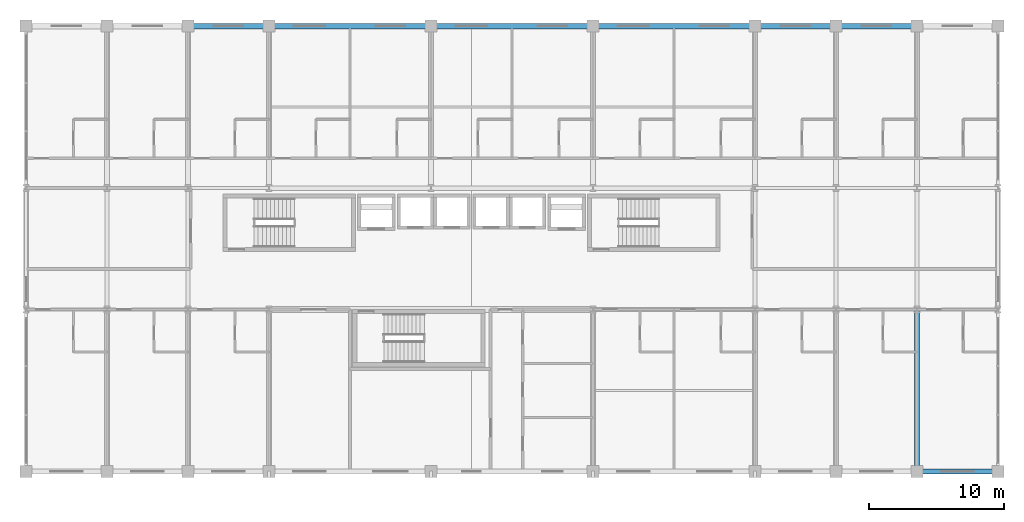
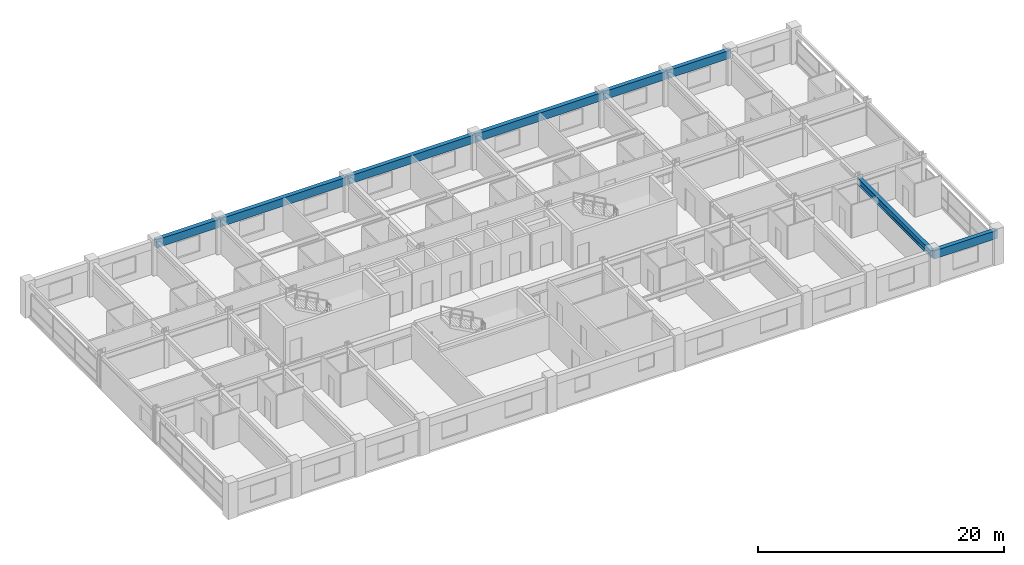
# One storey, part 11 of 22: 8 beams.
"""IFC4 building model written with IfcOpenShell, lengths in metres."""

from ifc_helpers import new_model, si_unit, direction, frame, origin, origin_2d, place, context, subcontext, project, spatial, rectangle, i_section, extrude, material, material_profile, profile_set, type_object, element, save


model = new_model("IFC4")

# Units and contexts
model_context = context("Model", 3, precision=1e-05, world=origin(), true_north=direction((0.0, 1.0)))
body_context = subcontext(model_context, "Body", "Model", "MODEL_VIEW")
ifc_project = project(units=[si_unit("LENGTHUNIT", "METRE"), si_unit("AREAUNIT", "SQUARE_METRE"), si_unit("VOLUMEUNIT", "CUBIC_METRE"), si_unit("PLANEANGLEUNIT", "RADIAN"), si_unit("MASSUNIT", "GRAM", prefix="KILO")], contexts=[model_context])

# Site, building, storey
site_placement = place(None, origin())
site = spatial("IfcSite", under=ifc_project, at=site_placement, CompositionType="ELEMENT")
building_placement = place(site_placement, origin())
building = spatial("IfcBuilding", under=site, at=building_placement, Name="Kaldorvane Square Convention Centre", CompositionType="ELEMENT")
storey_placement = place(building_placement, frame((0.0, 0.0, 34.80000305175781)))
storey = spatial("IfcBuildingStorey", under=building, at=storey_placement, Name="L07", CompositionType="ELEMENT", Elevation=34.80000305175781)

# Beams
ifc_material_1 = material(Name="Steel ASTM A992 Gr. 50", Category="steel")
ifc_material_profile_1 = material_profile(ifc_material_1, i_section(OverallWidth=0.354705810546875, OverallDepth=0.69549560546875, WebThickness=0.0153961181640625, FlangeThickness=0.0251007080078125, FilletRadius=0.01519775390625, at=origin_2d()), Name="W27X146")
ifc_profile_set_1 = profile_set([ifc_material_profile_1], Name="Steel ASTM A992 Gr. 50")
beam_type_1 = type_object("IfcBeamType", Name="BM-GR-W27X146", PredefinedType="BEAM", material=ifc_profile_set_1)
beam_placement = place(storey_placement, frame((90.0, 84.0, 2.93829345703125), z_axis=(0.0, 1.0, 0.0), x_axis=(-1.0, 0.0, 0.0)))
element("IfcBeam", 1, at=beam_placement, inside=storey, type_object=beam_type_1, Name="Transverse Girder (L07)", PredefinedType="BEAM", context=body_context, shape_type="SweptSolid", body=[
    extrude(i_section(OverallWidth=0.354705810546875, OverallDepth=0.69549560546875, WebThickness=0.0153961181640625, FlangeThickness=0.0251007080078125, FilletRadius=0.01519775390625, at=origin_2d()), origin(), (0.0, 0.0, 1.0), 12.0),
])
ifc_material_2 = material(Name="Concrete f'c = 42 MPa (Normalweight)", Category="concrete")
ifc_material_profile_2 = material_profile(ifc_material_2, rectangle(XDim=0.399993896484375, YDim=0.8000030517578125, at=origin_2d()), Name="RCSP800X400")
ifc_profile_set_2 = profile_set([ifc_material_profile_2], Name="Concrete f'c = 42 MPa (Normalweight)")
beam_type_2 = type_object("IfcBeamType", Name="BM-SP-RC800", PredefinedType="SPANDREL", material=ifc_profile_set_2)
for number, where, z_axis, x_axis, name in (
    (2, (90.0, 84.0, 2.8860015869140625), (1.0, 0.0, 0.0), (0.0, 1.0, 0.0), "Perimeter Spandrel (L07)"),
    (3, (36.0, 117.0, 2.8860015869140625), (1.0, 0.0, 0.0), (0.0, 1.0, 0.0), "Perimeter Spandrel (L07)"),
):
    element("IfcBeam", number, at=place(storey_placement, frame(where, z_axis=z_axis, x_axis=x_axis)), inside=storey, type_object=beam_type_2, Name=name, PredefinedType="SPANDREL", context=body_context, shape_type="SweptSolid", body=[
        extrude(rectangle(XDim=0.399993896484375, YDim=0.8000030517578125, at=origin_2d()), origin(), (0.0, 0.0, 1.0), 6.0),
    ])
for number, where, z_axis, x_axis, name in (
    (4, (42.0, 117.0, 2.8860015869140625), (1.0, 0.0, 0.0), (0.0, 1.0, 0.0), "Perimeter Spandrel (L07)"),
    (5, (54.0, 117.0, 2.8860015869140625), (1.0, 0.0, 0.0), (0.0, 1.0, 0.0), "Perimeter Spandrel (L07)"),
    (6, (66.0, 117.0, 2.8860015869140625), (1.0, 0.0, 0.0), (0.0, 1.0, 0.0), "Perimeter Spandrel (L07)"),
):
    element("IfcBeam", number, at=place(storey_placement, frame(where, z_axis=z_axis, x_axis=x_axis)), inside=storey, type_object=beam_type_2, Name=name, PredefinedType="SPANDREL", context=body_context, shape_type="SweptSolid", body=[
        extrude(rectangle(XDim=0.399993896484375, YDim=0.8000030517578125, at=origin_2d()), origin(), (0.0, 0.0, 1.0), 12.0),
    ])
for number, where, z_axis, x_axis, name in (
    (7, (78.0, 117.0, 2.8860015869140625), (1.0, 0.0, 0.0), (0.0, 1.0, 0.0), "Perimeter Spandrel (L07)"),
    (8, (84.0, 117.0, 2.8860015869140625), (1.0, 0.0, 0.0), (0.0, 1.0, 0.0), "Perimeter Spandrel (L07)"),
):
    element("IfcBeam", number, at=place(storey_placement, frame(where, z_axis=z_axis, x_axis=x_axis)), inside=storey, type_object=beam_type_2, Name=name, PredefinedType="SPANDREL", context=body_context, shape_type="SweptSolid", body=[
        extrude(rectangle(XDim=0.399993896484375, YDim=0.8000030517578125, at=origin_2d()), origin(), (0.0, 0.0, 1.0), 6.0),
    ])

save(model, "model.ifc")
